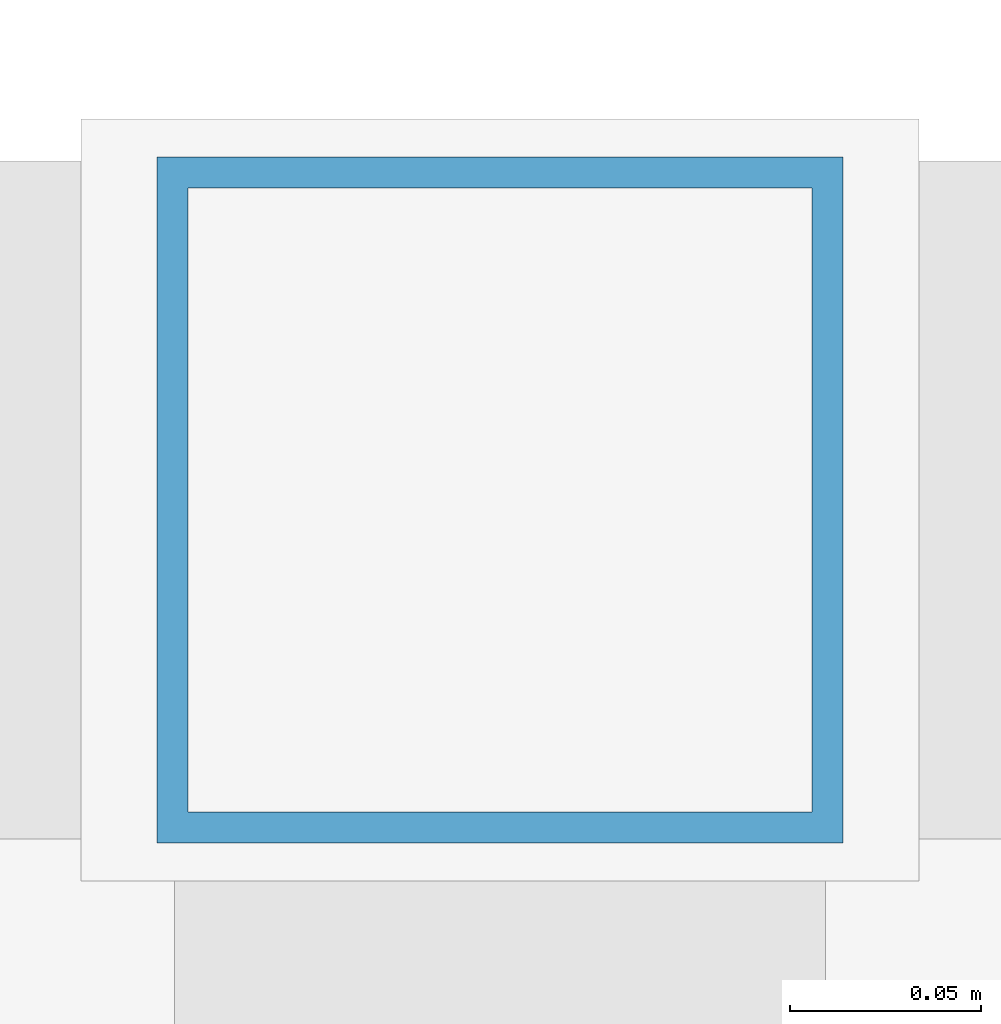
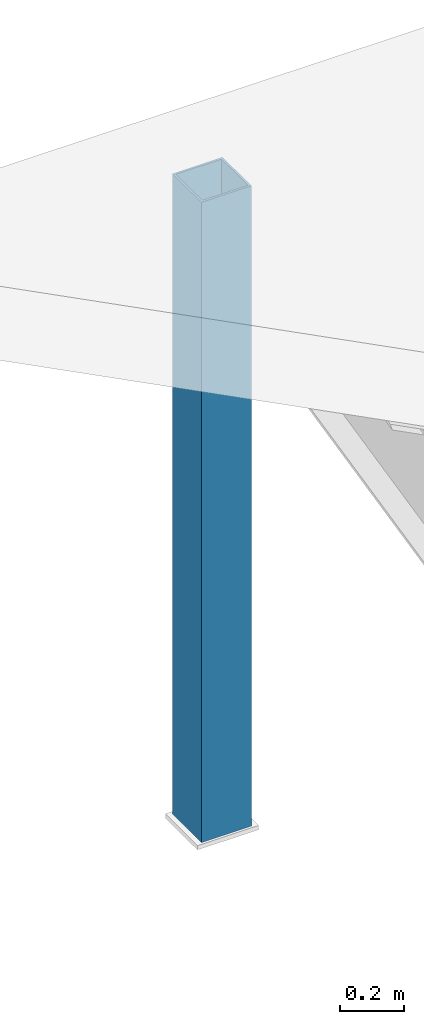
# One storey, part 16 of 31: 1 member.
"""IFC4 building model written with IfcOpenShell, lengths in metres."""

from ifc_helpers import new_model, si_unit, direction, frame, origin, origin_2d, place, context, subcontext, project, spatial, hollow_rectangle, extrude, material, material_profile, profile_set, type_object, element, save


model = new_model("IFC4")

# Units and contexts
model_context = context("Model", 3, precision=1e-05, world=origin(), true_north=direction((0.0, 1.0)))
body_context = subcontext(model_context, "Body", "Model", "MODEL_VIEW")
ifc_project = project(units=[si_unit("LENGTHUNIT", "METRE"), si_unit("AREAUNIT", "SQUARE_METRE"), si_unit("VOLUMEUNIT", "CUBIC_METRE"), si_unit("PLANEANGLEUNIT", "RADIAN"), si_unit("MASSUNIT", "GRAM", prefix="KILO")], contexts=[model_context])

# Site, building, storey
site_placement = place(None, origin())
site = spatial("IfcSite", under=ifc_project, at=site_placement, CompositionType="ELEMENT")
building_placement = place(site_placement, origin())
building = spatial("IfcBuilding", under=site, at=building_placement, Name="Celadon Cloister-Ring School", CompositionType="ELEMENT")
storey_placement = place(building_placement, frame((0.0, 0.0, 16.5)))
storey = spatial("IfcBuildingStorey", under=building, at=storey_placement, Name="L04", CompositionType="ELEMENT", Elevation=16.5)

# Member
ifc_material = material(Name="Structural steel S355JR", Category="steel")
ifc_material_profile = material_profile(ifc_material, hollow_rectangle(XDim=0.179931640625, YDim=0.179931640625, WallThickness=0.008056640625, at=origin_2d()), Name="HSS180X180X8")
ifc_profile_set = profile_set([ifc_material_profile], Name="Structural steel S355JR")
member_type = type_object("IfcMemberType", Name="MB-04", PredefinedType="BRACE", material=ifc_profile_set)
member_placement = place(storey_placement, frame((158.0, 60.0, -0.10009765625), z_axis=(0.0, 0.0, 1.0), x_axis=(1.0, 0.0, 0.0)))
element("IfcMember", 1, at=member_placement, inside=storey, type_object=member_type, Name="Structural Member 0600", PredefinedType="BRACE", context=body_context, shape_type="SweptSolid", body=[
    extrude(hollow_rectangle(XDim=0.179931640625, YDim=0.179931640625, WallThickness=0.008056640625, at=origin_2d()), origin(), (0.0, 0.0, 1.0), 2.43701171875),
])

save(model, "model.ifc")
